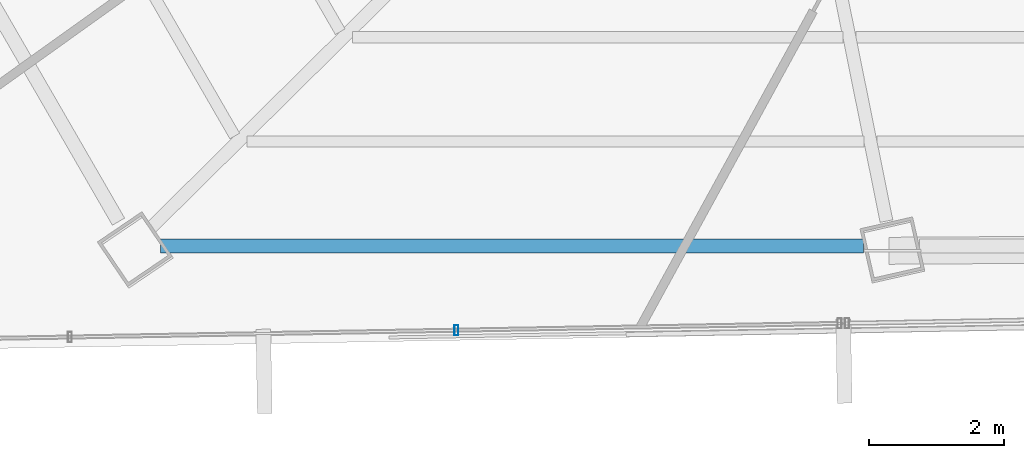
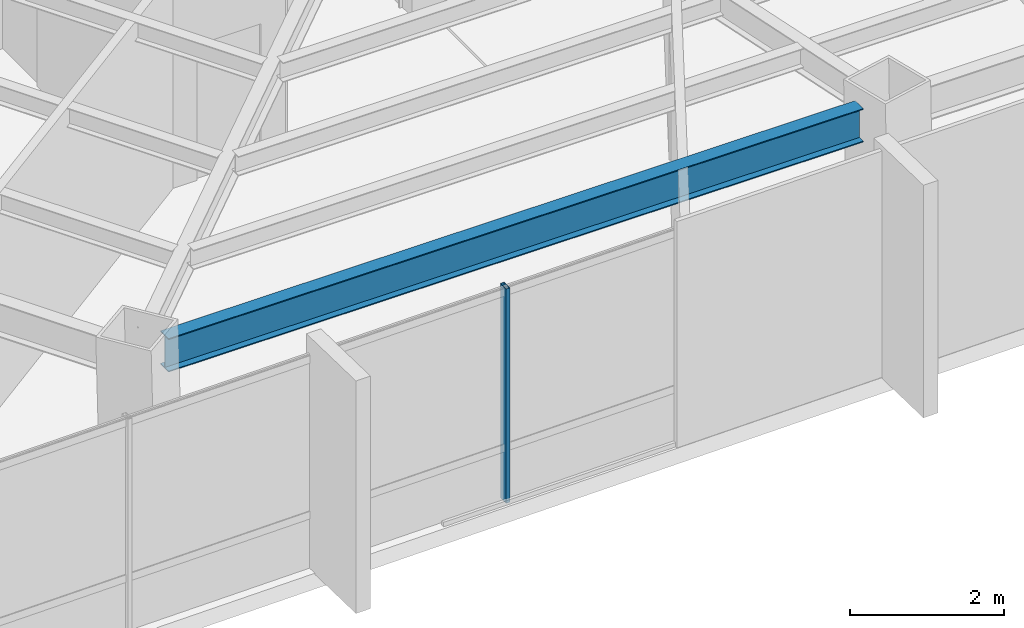
# One storey, part 6 of 42: 1 beam, 1 member, 1 element without a shape of its own.
"""IFC4 building model written with IfcOpenShell, lengths in metres."""

from ifc_helpers import new_model, si_unit, direction, frame, origin, origin_2d, place, context, subcontext, project, spatial, hollow_rectangle, i_section, extrude, source, transform, mapped, material, material_profile, profile_set, type_object, type_shapes, element, aggregate, save


model = new_model("IFC4")

# Units and contexts
model_context = context("Model", 3, precision=1e-05, world=origin(), true_north=direction((0.0, 1.0)))
body_context = subcontext(model_context, "Body", "Model", "MODEL_VIEW")
ifc_project = project(units=[si_unit("LENGTHUNIT", "METRE"), si_unit("AREAUNIT", "SQUARE_METRE"), si_unit("VOLUMEUNIT", "CUBIC_METRE"), si_unit("PLANEANGLEUNIT", "RADIAN"), si_unit("MASSUNIT", "GRAM", prefix="KILO")], contexts=[model_context])

# Site, building, storey
site_placement = place(None, origin())
site = spatial("IfcSite", under=ifc_project, at=site_placement, CompositionType="ELEMENT")
building_placement = place(site_placement, origin())
building = spatial("IfcBuilding", under=site, at=building_placement, Name="Caelisora Broadcast Tower", CompositionType="ELEMENT")
storey_placement = place(building_placement, frame((0.0, 0.0, 191.35009765625)))
storey = spatial("IfcBuildingStorey", under=building, at=storey_placement, Name="L50", CompositionType="ELEMENT", Elevation=191.35009765625)

# Beam
ifc_material_1 = material(Name="Steel Grade 350 (AS/NZS 3679.1)", Category="steel")
ifc_material_profile_1 = material_profile(ifc_material_1, i_section(OverallWidth=0.208984375, OverallDepth=0.532958984375, WebThickness=0.01025390625, FlangeThickness=0.015625, at=origin_2d()), Name="Steel Grade 350 (AS/NZS 3679.1)")
ifc_profile_set_1 = profile_set([ifc_material_profile_1], Name="Steel Grade 350 (AS/NZS 3679.1)")
beam_type = type_object("IfcBeamType", Name="PG05", PredefinedType="BEAM", material=ifc_profile_set_1)
shared_shape_1 = source(origin(), body_context, "Body", "SweptSolid", [
    extrude(i_section(OverallWidth=0.208984375, OverallDepth=0.532958984375, WebThickness=0.01025390625, FlangeThickness=0.015625, at=origin_2d()), origin(), (0.0, 0.0, 1.0), 10.426025390625),
])
type_shapes(beam_type, [shared_shape_1])
beam_placement = place(storey_placement, frame((21.529052734375, 8.11572265625, 3.13330078125), z_axis=(1.0, 0.0, 0.0), x_axis=(0.0, 1.0, 0.0)))
element("IfcBeam", 1, at=beam_placement, inside=storey, type_object=beam_type, Name="L50 beam PG05", PredefinedType="BEAM", context=body_context, shape_type="MappedRepresentation", body=[
    mapped(shared_shape_1, transform((0.0, 0.0, 0.0), scale=1.0)),
])

# Curtain wall, member
ifc_material_2 = material(Name="Unitised Aluminium and Low-E Glass Curtain Wall", Category="glass")
curtain_wall_type = type_object("IfcCurtainWallType", Name="CW-Z4", PredefinedType="NOTDEFINED", material=ifc_material_2)
curtain_wall_placement = place(storey_placement, origin())
curtain_wall = element("IfcCurtainWall", 2, at=curtain_wall_placement, inside=storey, type_object=curtain_wall_type, Name="L50 curtain wall CW-Z4", PredefinedType="NOTDEFINED")
ifc_material_3 = material(Name="Aluminium 6063-T6 Anodised Terracotta Bronze", Category="aluminium")
ifc_material_profile_2 = material_profile(ifc_material_3, hollow_rectangle(XDim=0.06005859375, YDim=0.14990234375, WallThickness=0.00341796875, at=origin_2d()), Name="Aluminium 6063-T6 Anodised Terracotta Bronze")
ifc_profile_set_2 = profile_set([ifc_material_profile_2], Name="Aluminium 6063-T6 Anodised Terracotta Bronze")
member_type = type_object("IfcMemberType", Name="CWM-03", PredefinedType="MULLION", material=ifc_profile_set_2)
shared_shape_2 = source(origin(), body_context, "Body", "SweptSolid", [
    extrude(hollow_rectangle(XDim=0.06005859375, YDim=0.14990234375, WallThickness=0.00341796875, at=origin_2d()), origin(), (0.0, 0.0, 1.0), 3.39990234375),
])
type_shapes(member_type, [shared_shape_2])
member_placement = place(storey_placement, frame((25.91796875, 6.865478515625, 0.0), z_axis=(0.0, 0.0, 1.0), x_axis=(1.0, 0.0, 0.0)))
member = element("IfcMember", 3, at=member_placement, type_object=member_type, Name="L50-CW-B07 mullion #1", PredefinedType="MULLION", context=body_context, shape_type="MappedRepresentation", body=[
    mapped(shared_shape_2, transform((0.0, 0.0, 0.0), scale=1.0)),
])
aggregate(curtain_wall, [member])

save(model, "model.ifc")
